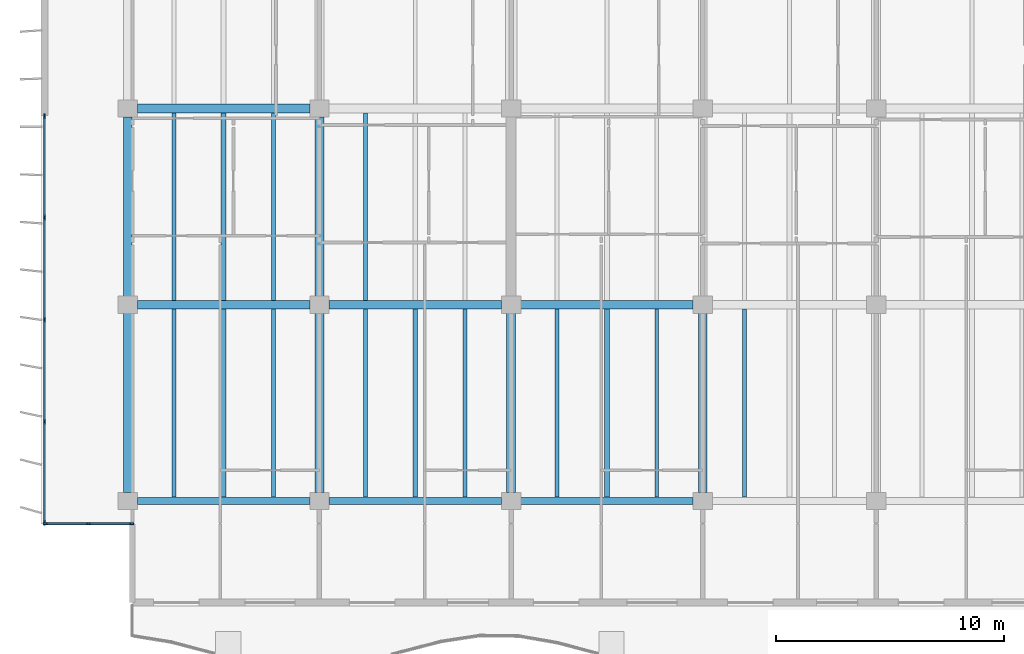
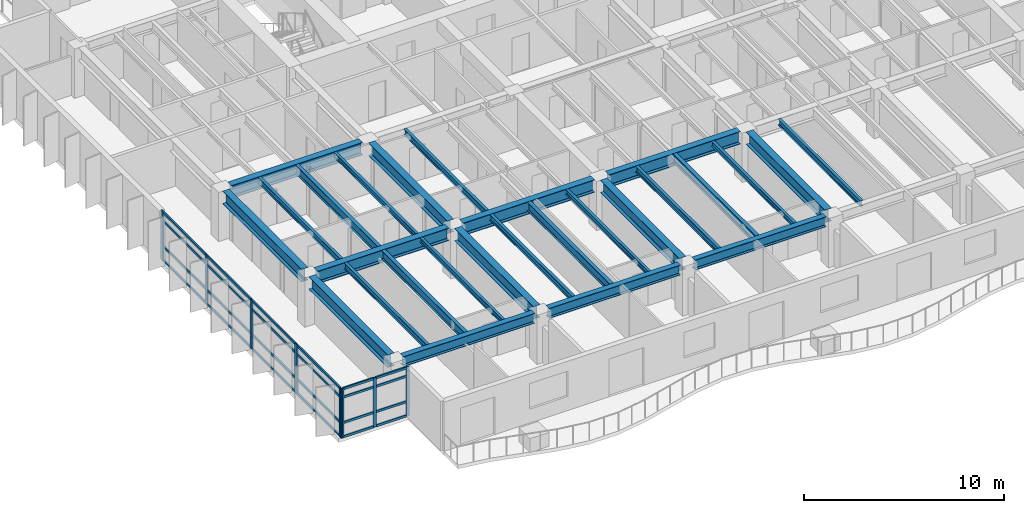
# One storey, part 2 of 19: 32 members, 27 beams, 2 elements without a shape of their own.
"""IFC4 building model written with IfcOpenShell, lengths in metres."""

from ifc_helpers import new_model, si_unit, direction, frame, origin, origin_2d, place, context, subcontext, project, spatial, rectangle, i_section, extrude, material, layer, layer_set, material_profile, profile_set, type_object, element, aggregate, save


model = new_model("IFC4")

# Units and contexts
model_context = context("Model", 3, precision=1e-05, world=origin(), true_north=direction((0.0, 1.0)))
body_context = subcontext(model_context, "Body", "Model", "MODEL_VIEW")
ifc_project = project(units=[si_unit("LENGTHUNIT", "METRE"), si_unit("AREAUNIT", "SQUARE_METRE"), si_unit("VOLUMEUNIT", "CUBIC_METRE"), si_unit("PLANEANGLEUNIT", "RADIAN"), si_unit("MASSUNIT", "GRAM", prefix="KILO")], contexts=[model_context])

# Site, building, storey
site_placement = place(None, origin())
site = spatial("IfcSite", under=ifc_project, at=site_placement, CompositionType="ELEMENT")
building_placement = place(site_placement, origin())
building = spatial("IfcBuilding", under=site, at=building_placement, Name="Caelmar Bay Residences", CompositionType="ELEMENT")
storey_placement = place(building_placement, frame((0.0, 0.0, 218.10009765625)))
storey = spatial("IfcBuildingStorey", under=building, at=storey_placement, Name="L61", CompositionType="ELEMENT", Elevation=218.10009765625)

# Beams
ifc_material_1 = material(Name="Steel ASTM A992 Grade 50", Category="steel")
ifc_material_profile_1 = material_profile(ifc_material_1, i_section(OverallWidth=0.381103515625, OverallDepth=0.77197265625, WebThickness=0.0166015625, FlangeThickness=0.027099609375, FilletRadius=0.0166015625, at=origin_2d()), Name="W30X173")
ifc_profile_set_1 = profile_set([ifc_material_profile_1], Name="Steel ASTM A992 Grade 50")
beam_type_1 = type_object("IfcBeamType", Name="BM-GRD-W30X173", PredefinedType="BEAM", material=ifc_profile_set_1)
beam_1_placement = place(storey_placement, frame((10.31494140625, 20.800048828125, 2.614013671875), z_axis=(1.0, 0.0, 0.0), x_axis=(0.0, 1.0, 0.0)))
element("IfcBeam", 1, at=beam_1_placement, inside=storey, type_object=beam_type_1, Name="L61 East-West Girder Y=20.80 (9.9-18.3)", PredefinedType="BEAM", context=body_context, shape_type="SweptSolid", body=[
    extrude(i_section(OverallWidth=0.381103515625, OverallDepth=0.77197265625, WebThickness=0.0166015625, FlangeThickness=0.027099609375, FilletRadius=0.0166015625, at=origin_2d()), origin(), (0.0, 0.0, 1.0), 7.570068359375),
])
beam_2_placement = place(storey_placement, frame((18.715087890625, 20.800048828125, 2.614013671875), z_axis=(1.0, 0.0, 0.0), x_axis=(0.0, 1.0, 0.0)))
element("IfcBeam", 2, at=beam_2_placement, inside=storey, type_object=beam_type_1, Name="L61 East-West Girder Y=20.80 (18.3-26.7)", PredefinedType="BEAM", context=body_context, shape_type="SweptSolid", body=[
    extrude(i_section(OverallWidth=0.381103515625, OverallDepth=0.77197265625, WebThickness=0.0166015625, FlangeThickness=0.027099609375, FilletRadius=0.0166015625, at=origin_2d()), origin(), (0.0, 0.0, 1.0), 7.56982421875),
])
for number, where, z_axis, x_axis, name in (
    (3, (27.114990234375, 20.800048828125, 2.614013671875), (1.0, 0.0, 0.0), (0.0, 1.0, 0.0), "L61 East-West Girder Y=20.80 (26.7-35.1)"),
    (4, (10.31494140625, 29.39990234375, 2.614013671875), (1.0, 0.0, 0.0), (0.0, 1.0, 0.0), "L61 East-West Girder Y=29.40 (9.9-18.3)"),
):
    element("IfcBeam", number, at=place(storey_placement, frame(where, z_axis=z_axis, x_axis=x_axis)), inside=storey, type_object=beam_type_1, Name=name, PredefinedType="BEAM", context=body_context, shape_type="SweptSolid", body=[
        extrude(i_section(OverallWidth=0.381103515625, OverallDepth=0.77197265625, WebThickness=0.0166015625, FlangeThickness=0.027099609375, FilletRadius=0.0166015625, at=origin_2d()), origin(), (0.0, 0.0, 1.0), 7.570068359375),
    ])
beam_3_placement = place(storey_placement, frame((9.89990234375, 12.56494140625, 2.614013671875), z_axis=(0.0, 1.0, 0.0), x_axis=(-1.0, 0.0, 0.0)))
element("IfcBeam", 5, at=beam_3_placement, inside=storey, type_object=beam_type_1, Name="L61 North-South Girder X=9.90 (12.2-20.8)", PredefinedType="BEAM", context=body_context, shape_type="SweptSolid", body=[
    extrude(i_section(OverallWidth=0.381103515625, OverallDepth=0.77197265625, WebThickness=0.0166015625, FlangeThickness=0.027099609375, FilletRadius=0.0166015625, at=origin_2d()), origin(), (0.0, 0.0, 1.0), 7.8701171875),
])
beam_4_placement = place(storey_placement, frame((9.89990234375, 21.1650390625, 2.614013671875), z_axis=(0.0, 1.0, 0.0), x_axis=(-1.0, 0.0, 0.0)))
element("IfcBeam", 6, at=beam_4_placement, inside=storey, type_object=beam_type_1, Name="L61 North-South Girder X=9.90 (20.8-29.4)", PredefinedType="BEAM", context=body_context, shape_type="SweptSolid", body=[
    extrude(i_section(OverallWidth=0.381103515625, OverallDepth=0.77197265625, WebThickness=0.0166015625, FlangeThickness=0.027099609375, FilletRadius=0.0166015625, at=origin_2d()), origin(), (0.0, 0.0, 1.0), 7.869873046875),
])
beam_5_placement = place(storey_placement, frame((18.300048828125, 12.56494140625, 2.614013671875), z_axis=(0.0, 1.0, 0.0), x_axis=(-1.0, 0.0, 0.0)))
element("IfcBeam", 7, at=beam_5_placement, inside=storey, type_object=beam_type_1, Name="L61 North-South Girder X=18.30 (12.2-20.8)", PredefinedType="BEAM", context=body_context, shape_type="SweptSolid", body=[
    extrude(i_section(OverallWidth=0.381103515625, OverallDepth=0.77197265625, WebThickness=0.0166015625, FlangeThickness=0.027099609375, FilletRadius=0.0166015625, at=origin_2d()), origin(), (0.0, 0.0, 1.0), 7.8701171875),
])
beam_6_placement = place(storey_placement, frame((18.300048828125, 21.1650390625, 2.614013671875), z_axis=(0.0, 1.0, 0.0), x_axis=(-1.0, 0.0, 0.0)))
element("IfcBeam", 8, at=beam_6_placement, inside=storey, type_object=beam_type_1, Name="L61 North-South Girder X=18.30 (20.8-29.4)", PredefinedType="BEAM", context=body_context, shape_type="SweptSolid", body=[
    extrude(i_section(OverallWidth=0.381103515625, OverallDepth=0.77197265625, WebThickness=0.0166015625, FlangeThickness=0.027099609375, FilletRadius=0.0166015625, at=origin_2d()), origin(), (0.0, 0.0, 1.0), 7.869873046875),
])
for number, where, z_axis, x_axis, name in (
    (9, (26.699951171875, 12.56494140625, 2.614013671875), (0.0, 1.0, 0.0), (-1.0, 0.0, 0.0), "L61 North-South Girder X=26.70 (12.2-20.8)"),
    (10, (35.10009765625, 12.56494140625, 2.614013671875), (0.0, 1.0, 0.0), (-1.0, 0.0, 0.0), "L61 North-South Girder X=35.10 (12.2-20.8)"),
):
    element("IfcBeam", number, at=place(storey_placement, frame(where, z_axis=z_axis, x_axis=x_axis)), inside=storey, type_object=beam_type_1, Name=name, PredefinedType="BEAM", context=body_context, shape_type="SweptSolid", body=[
        extrude(i_section(OverallWidth=0.381103515625, OverallDepth=0.77197265625, WebThickness=0.0166015625, FlangeThickness=0.027099609375, FilletRadius=0.0166015625, at=origin_2d()), origin(), (0.0, 0.0, 1.0), 7.8701171875),
    ])
ifc_material_profile_2 = material_profile(ifc_material_1, i_section(OverallWidth=0.1650390625, OverallDepth=0.31005859375, WebThickness=0.005859375, FlangeThickness=0.009765625, FilletRadius=0.007568359375, at=origin_2d()), Name="W12X26")
ifc_profile_set_2 = profile_set([ifc_material_profile_2], Name="Steel ASTM A992 Grade 50")
beam_type_2 = type_object("IfcBeamType", Name="BM-JST-W12X26", PredefinedType="JOIST", material=ifc_profile_set_2)
for number, where, z_axis, x_axis, name in (
    (11, (16.283935546875, 12.362548828125, 2.844970703125), (0.0, 1.0, 0.0), (-1.0, 0.0, 0.0), "L61 Composite Floor Joist 3"),
    (12, (24.68408203125, 12.362548828125, 2.844970703125), (0.0, 1.0, 0.0), (-1.0, 0.0, 0.0), "L61 Composite Floor Joist 6"),
    (13, (33.083984375, 12.362548828125, 2.844970703125), (0.0, 1.0, 0.0), (-1.0, 0.0, 0.0), "L61 Composite Floor Joist 9"),
):
    element("IfcBeam", number, at=place(storey_placement, frame(where, z_axis=z_axis, x_axis=x_axis)), inside=storey, type_object=beam_type_2, Name=name, PredefinedType="JOIST", context=body_context, shape_type="SweptSolid", body=[
        extrude(i_section(OverallWidth=0.1650390625, OverallDepth=0.31005859375, WebThickness=0.005859375, FlangeThickness=0.009765625, FilletRadius=0.007568359375, at=origin_2d()), origin(), (0.0, 0.0, 1.0), 8.2470703125),
    ])
beam_7_placement = place(storey_placement, frame((16.283935546875, 20.990478515625, 2.844970703125), z_axis=(0.0, 1.0, 0.0), x_axis=(-1.0, 0.0, 0.0)))
element("IfcBeam", 14, at=beam_7_placement, inside=storey, type_object=beam_type_2, Name="L61 Composite Floor Joist 24", PredefinedType="JOIST", context=body_context, shape_type="SweptSolid", body=[
    extrude(i_section(OverallWidth=0.1650390625, OverallDepth=0.31005859375, WebThickness=0.005859375, FlangeThickness=0.009765625, FilletRadius=0.007568359375, at=origin_2d()), origin(), (0.0, 0.0, 1.0), 8.218994140625),
])
ifc_material_profile_3 = material_profile(ifc_material_1, i_section(OverallWidth=0.1708984375, OverallDepth=0.35595703125, WebThickness=0.007080078125, FlangeThickness=0.01171875, FilletRadius=0.007568359375, at=origin_2d()), Name="W14X34")
ifc_profile_set_3 = profile_set([ifc_material_profile_3], Name="Steel ASTM A992 Grade 50")
beam_type_3 = type_object("IfcBeamType", Name="BM-JST-W14X34", PredefinedType="JOIST", material=ifc_profile_set_3)
for number, where, z_axis, x_axis, name in (
    (15, (11.916015625, 12.362548828125, 2.822021484375), (0.0, 1.0, 0.0), (-1.0, 0.0, 0.0), "L61 Composite Floor Joist 1"),
    (16, (20.31591796875, 12.362548828125, 2.822021484375), (0.0, 1.0, 0.0), (-1.0, 0.0, 0.0), "L61 Composite Floor Joist 4"),
    (17, (28.716064453125, 12.362548828125, 2.822021484375), (0.0, 1.0, 0.0), (-1.0, 0.0, 0.0), "L61 Composite Floor Joist 7"),
    (18, (36.924072265625, 12.362548828125, 2.822021484375), (0.0, 1.0, 0.0), (-1.0, 0.0, 0.0), "L61 Composite Floor Joist 10"),
):
    element("IfcBeam", number, at=place(storey_placement, frame(where, z_axis=z_axis, x_axis=x_axis)), inside=storey, type_object=beam_type_3, Name=name, PredefinedType="JOIST", context=body_context, shape_type="SweptSolid", body=[
        extrude(i_section(OverallWidth=0.1708984375, OverallDepth=0.35595703125, WebThickness=0.007080078125, FlangeThickness=0.01171875, FilletRadius=0.007568359375, at=origin_2d()), origin(), (0.0, 0.0, 1.0), 8.2470703125),
    ])
for number, where, z_axis, x_axis, name in (
    (19, (11.916015625, 20.990478515625, 2.822021484375), (0.0, 1.0, 0.0), (-1.0, 0.0, 0.0), "L61 Composite Floor Joist 22"),
    (20, (20.31591796875, 20.990478515625, 2.822021484375), (0.0, 1.0, 0.0), (-1.0, 0.0, 0.0), "L61 Composite Floor Joist 25"),
):
    element("IfcBeam", number, at=place(storey_placement, frame(where, z_axis=z_axis, x_axis=x_axis)), inside=storey, type_object=beam_type_3, Name=name, PredefinedType="JOIST", context=body_context, shape_type="SweptSolid", body=[
        extrude(i_section(OverallWidth=0.1708984375, OverallDepth=0.35595703125, WebThickness=0.007080078125, FlangeThickness=0.01171875, FilletRadius=0.007568359375, at=origin_2d()), origin(), (0.0, 0.0, 1.0), 8.218994140625),
    ])
ifc_material_profile_4 = material_profile(ifc_material_1, i_section(OverallWidth=0.2099609375, OverallDepth=0.535888671875, WebThickness=0.010986328125, FlangeThickness=0.017333984375, FilletRadius=0.0126953125, at=origin_2d()), Name="W21X68")
ifc_profile_set_4 = profile_set([ifc_material_profile_4], Name="Steel ASTM A992 Grade 50")
beam_type_4 = type_object("IfcBeamType", Name="BM-JST-W21X68", PredefinedType="JOIST", material=ifc_profile_set_4)
for number, where, z_axis, x_axis, name in (
    (21, (14.10009765625, 12.362548828125, 2.73193359375), (0.0, 1.0, 0.0), (-1.0, 0.0, 0.0), "L61 Composite Floor Joist 2"),
    (22, (22.5, 12.362548828125, 2.73193359375), (0.0, 1.0, 0.0), (-1.0, 0.0, 0.0), "L61 Composite Floor Joist 5"),
    (23, (30.89990234375, 12.362548828125, 2.73193359375), (0.0, 1.0, 0.0), (-1.0, 0.0, 0.0), "L61 Composite Floor Joist 8"),
):
    element("IfcBeam", number, at=place(storey_placement, frame(where, z_axis=z_axis, x_axis=x_axis)), inside=storey, type_object=beam_type_4, Name=name, PredefinedType="JOIST", context=body_context, shape_type="SweptSolid", body=[
        extrude(i_section(OverallWidth=0.2099609375, OverallDepth=0.535888671875, WebThickness=0.010986328125, FlangeThickness=0.017333984375, FilletRadius=0.0126953125, at=origin_2d()), origin(), (0.0, 0.0, 1.0), 8.2470703125),
    ])
beam_8_placement = place(storey_placement, frame((14.10009765625, 20.990478515625, 2.73193359375), z_axis=(0.0, 1.0, 0.0), x_axis=(-1.0, 0.0, 0.0)))
element("IfcBeam", 24, at=beam_8_placement, inside=storey, type_object=beam_type_4, Name="L61 Composite Floor Joist 23", PredefinedType="JOIST", context=body_context, shape_type="SweptSolid", body=[
    extrude(i_section(OverallWidth=0.2099609375, OverallDepth=0.535888671875, WebThickness=0.010986328125, FlangeThickness=0.017333984375, FilletRadius=0.0126953125, at=origin_2d()), origin(), (0.0, 0.0, 1.0), 8.218994140625),
])
ifc_material_profile_5 = material_profile(ifc_material_1, i_section(OverallWidth=0.324951171875, OverallDepth=0.616943359375, WebThickness=0.013916015625, FlangeThickness=0.021484375, FilletRadius=0.0126953125, at=origin_2d()), Name="W24X117")
ifc_profile_set_5 = profile_set([ifc_material_profile_5], Name="Steel ASTM A992 Grade 50")
beam_type_5 = type_object("IfcBeamType", Name="BM-SPN-W24X117", PredefinedType="SPANDREL", material=ifc_profile_set_5)
beam_9_placement = place(storey_placement, frame((10.31494140625, 12.199951171875, 2.69140625), z_axis=(1.0, 0.0, 0.0), x_axis=(0.0, 1.0, 0.0)))
element("IfcBeam", 25, at=beam_9_placement, inside=storey, type_object=beam_type_5, Name="L61 East-West Girder Y=12.20 (9.9-18.3)", PredefinedType="SPANDREL", context=body_context, shape_type="SweptSolid", body=[
    extrude(i_section(OverallWidth=0.324951171875, OverallDepth=0.616943359375, WebThickness=0.013916015625, FlangeThickness=0.021484375, FilletRadius=0.0126953125, at=origin_2d()), origin(), (0.0, 0.0, 1.0), 7.570068359375),
])
beam_10_placement = place(storey_placement, frame((18.715087890625, 12.199951171875, 2.69140625), z_axis=(1.0, 0.0, 0.0), x_axis=(0.0, 1.0, 0.0)))
element("IfcBeam", 26, at=beam_10_placement, inside=storey, type_object=beam_type_5, Name="L61 East-West Girder Y=12.20 (18.3-26.7)", PredefinedType="SPANDREL", context=body_context, shape_type="SweptSolid", body=[
    extrude(i_section(OverallWidth=0.324951171875, OverallDepth=0.616943359375, WebThickness=0.013916015625, FlangeThickness=0.021484375, FilletRadius=0.0126953125, at=origin_2d()), origin(), (0.0, 0.0, 1.0), 7.56982421875),
])
beam_11_placement = place(storey_placement, frame((27.114990234375, 12.199951171875, 2.69140625), z_axis=(1.0, 0.0, 0.0), x_axis=(0.0, 1.0, 0.0)))
element("IfcBeam", 27, at=beam_11_placement, inside=storey, type_object=beam_type_5, Name="L61 East-West Girder Y=12.20 (26.7-35.1)", PredefinedType="SPANDREL", context=body_context, shape_type="SweptSolid", body=[
    extrude(i_section(OverallWidth=0.324951171875, OverallDepth=0.616943359375, WebThickness=0.013916015625, FlangeThickness=0.021484375, FilletRadius=0.0126953125, at=origin_2d()), origin(), (0.0, 0.0, 1.0), 7.570068359375),
])

# Curtain wall, members
ifc_material_2 = material(Name="Anodised bronze aluminium 6063-T6 and laminated glass", Category="aluminium")
ifc_layer_1 = layer(ifc_material_2, 0.179931640625)
ifc_layer_set_1 = layer_set([ifc_layer_1], Name="Anodised bronze aluminium 6063-T6 and laminated glass")
curtain_wall_type_1 = type_object("IfcCurtainWallType", Name="CW6-NTC", PredefinedType="NOTDEFINED", material=ifc_layer_set_1)
curtain_wall_1_placement = place(storey_placement, origin())
curtain_wall_1 = element("IfcCurtainWall", 28, at=curtain_wall_1_placement, inside=storey, type_object=curtain_wall_type_1, Name="CW6 curtain wall L61", PredefinedType="NOTDEFINED")
ifc_material_3 = material(Name="Anodised bronze aluminium 6063-T6", Category="aluminium")
ifc_material_profile_6 = material_profile(ifc_material_3, rectangle(XDim=0.080078125, YDim=0.179931640625, at=origin_2d()), Name="CWM-80X180")
ifc_profile_set_6 = profile_set([ifc_material_profile_6], Name="Anodised bronze aluminium 6063-T6")
member_type_1 = type_object("IfcMemberType", Name="CWM-180", PredefinedType="MULLION", material=ifc_profile_set_6)
member_1_placement = place(storey_placement, frame((6.2900390625, 11.199951171875, 0.0), z_axis=(0.0, 0.0, 1.0), x_axis=(0.0, 1.0, 0.0)))
member_1 = element("IfcMember", 29, at=member_1_placement, type_object=member_type_1, Name="CW6 mullion 1", PredefinedType="MULLION", context=body_context, shape_type="SweptSolid", body=[
    extrude(rectangle(XDim=0.080078125, YDim=0.179931640625, at=origin_2d()), origin(), (0.0, 0.0, 1.0), 3.0),
])
member_2_placement = place(storey_placement, frame((8.175048828125, 11.199951171875, 0.0), z_axis=(0.0, 0.0, 1.0), x_axis=(0.0, 1.0, 0.0)))
member_2 = element("IfcMember", 30, at=member_2_placement, type_object=member_type_1, Name="CW6 mullion 2", PredefinedType="MULLION", context=body_context, shape_type="SweptSolid", body=[
    extrude(rectangle(XDim=0.080078125, YDim=0.179931640625, at=origin_2d()), origin(), (0.0, 0.0, 1.0), 3.0),
])
member_3_placement = place(storey_placement, frame((10.06005859375, 11.199951171875, 0.0), z_axis=(0.0, 0.0, 1.0), x_axis=(0.0, 1.0, 0.0)))
member_3 = element("IfcMember", 31, at=member_3_placement, type_object=member_type_1, Name="CW6 mullion 3", PredefinedType="MULLION", context=body_context, shape_type="SweptSolid", body=[
    extrude(rectangle(XDim=0.080078125, YDim=0.179931640625, at=origin_2d()), origin(), (0.0, 0.0, 1.0), 3.0),
])

ifc_layer_2 = layer(ifc_material_2, 0.179931640625)
ifc_layer_set_2 = layer_set([ifc_layer_2], Name="Anodised bronze aluminium 6063-T6 and laminated glass")
curtain_wall_type_2 = type_object("IfcCurtainWallType", Name="CW4-Z3", PredefinedType="NOTDEFINED", material=ifc_layer_set_2)
curtain_wall_2_placement = place(storey_placement, origin())
curtain_wall_2 = element("IfcCurtainWall", 32, at=curtain_wall_2_placement, inside=storey, type_object=curtain_wall_type_2, Name="CW4 curtain wall L61", PredefinedType="NOTDEFINED")
ifc_material_profile_7 = material_profile(ifc_material_3, rectangle(XDim=0.080078125, YDim=0.219970703125, at=origin_2d()), Name="CWM-80X220")
ifc_profile_set_7 = profile_set([ifc_material_profile_7], Name="Anodised bronze aluminium 6063-T6")
member_type_2 = type_object("IfcMemberType", Name="CWM-220", PredefinedType="MULLION", material=ifc_profile_set_7)
member_4_placement = place(storey_placement, frame((6.25, 11.239990234375, 0.0), z_axis=(0.0, 0.0, 1.0), x_axis=(-1.0, 0.0, 0.0)))
member_4 = element("IfcMember", 33, at=member_4_placement, type_object=member_type_2, Name="CW4 mullion 1", PredefinedType="MULLION", context=body_context, shape_type="SweptSolid", body=[
    extrude(rectangle(XDim=0.080078125, YDim=0.219970703125, at=origin_2d()), origin(), (0.0, 0.0, 1.0), 3.0),
])
member_5_placement = place(storey_placement, frame((6.25, 15.675048828125, 0.0), z_axis=(0.0, 0.0, 1.0), x_axis=(-1.0, 0.0, 0.0)))
member_5 = element("IfcMember", 34, at=member_5_placement, type_object=member_type_2, Name="CW4 mullion 2", PredefinedType="MULLION", context=body_context, shape_type="SweptSolid", body=[
    extrude(rectangle(XDim=0.080078125, YDim=0.219970703125, at=origin_2d()), origin(), (0.0, 0.0, 1.0), 3.0),
])
member_6_placement = place(storey_placement, frame((6.25, 20.14990234375, 0.0), z_axis=(0.0, 0.0, 1.0), x_axis=(-1.0, 0.0, 0.0)))
member_6 = element("IfcMember", 35, at=member_6_placement, type_object=member_type_2, Name="CW4 mullion 3", PredefinedType="MULLION", context=body_context, shape_type="SweptSolid", body=[
    extrude(rectangle(XDim=0.080078125, YDim=0.219970703125, at=origin_2d()), origin(), (0.0, 0.0, 1.0), 3.0),
])
member_7_placement = place(storey_placement, frame((6.25, 24.625, 0.0), z_axis=(0.0, 0.0, 1.0), x_axis=(-1.0, 0.0, 0.0)))
member_7 = element("IfcMember", 36, at=member_7_placement, type_object=member_type_2, Name="CW4 mullion 4", PredefinedType="MULLION", context=body_context, shape_type="SweptSolid", body=[
    extrude(rectangle(XDim=0.080078125, YDim=0.219970703125, at=origin_2d()), origin(), (0.0, 0.0, 1.0), 3.0),
])
member_8_placement = place(storey_placement, frame((6.25, 29.06005859375, 0.0), z_axis=(0.0, 0.0, 1.0), x_axis=(-1.0, 0.0, 0.0)))
member_8 = element("IfcMember", 37, at=member_8_placement, type_object=member_type_2, Name="CW4 mullion 5", PredefinedType="MULLION", context=body_context, shape_type="SweptSolid", body=[
    extrude(rectangle(XDim=0.080078125, YDim=0.219970703125, at=origin_2d()), origin(), (0.0, 0.0, 1.0), 3.0),
])

# Member
ifc_material_profile_8 = material_profile(ifc_material_3, rectangle(XDim=0.080078125, YDim=0.139892578125, at=origin_2d()), Name="CWT-80X140")
ifc_profile_set_8 = profile_set([ifc_material_profile_8], Name="Anodised bronze aluminium 6063-T6")
member_type_3 = type_object("IfcMemberType", Name="CWT-140", PredefinedType="NOTDEFINED", material=ifc_profile_set_8)
member_9_placement = place(storey_placement, frame((6.330078125, 11.199951171875, 0.039794921875), z_axis=(1.0, 0.0, 0.0), x_axis=(0.0, 1.0, 0.0)))
member_9 = element("IfcMember", 38, at=member_9_placement, type_object=member_type_3, Name="CW6 transom 1.1", ObjectType="TRANSOM", PredefinedType="USERDEFINED", context=body_context, shape_type="SweptSolid", body=[
    extrude(rectangle(XDim=0.080078125, YDim=0.139892578125, at=origin_2d()), origin(), (0.0, 0.0, 1.0), 1.804931640625),
])

member_10_placement = place(storey_placement, frame((6.330078125, 11.199951171875, 0.89990234375), z_axis=(1.0, 0.0, 0.0), x_axis=(0.0, 1.0, 0.0)))
member_10 = element("IfcMember", 39, at=member_10_placement, type_object=member_type_3, Name="CW6 transom 1.2", ObjectType="TRANSOM", PredefinedType="USERDEFINED", context=body_context, shape_type="SweptSolid", body=[
    extrude(rectangle(XDim=0.080078125, YDim=0.139892578125, at=origin_2d()), origin(), (0.0, 0.0, 1.0), 1.804931640625),
])

member_11_placement = place(storey_placement, frame((6.330078125, 11.199951171875, 2.449951171875), z_axis=(1.0, 0.0, 0.0), x_axis=(0.0, 1.0, 0.0)))
member_11 = element("IfcMember", 40, at=member_11_placement, type_object=member_type_3, Name="CW6 transom 1.3", ObjectType="TRANSOM", PredefinedType="USERDEFINED", context=body_context, shape_type="SweptSolid", body=[
    extrude(rectangle(XDim=0.080078125, YDim=0.139892578125, at=origin_2d()), origin(), (0.0, 0.0, 1.0), 1.804931640625),
])

member_12_placement = place(storey_placement, frame((6.330078125, 11.199951171875, 2.9599609375), z_axis=(1.0, 0.0, 0.0), x_axis=(0.0, 1.0, 0.0)))
member_12 = element("IfcMember", 41, at=member_12_placement, type_object=member_type_3, Name="CW6 transom 1.4", ObjectType="TRANSOM", PredefinedType="USERDEFINED", context=body_context, shape_type="SweptSolid", body=[
    extrude(rectangle(XDim=0.080078125, YDim=0.139892578125, at=origin_2d()), origin(), (0.0, 0.0, 1.0), 1.804931640625),
])

member_13_placement = place(storey_placement, frame((8.215087890625, 11.199951171875, 0.039794921875), z_axis=(1.0, 0.0, 0.0), x_axis=(0.0, 1.0, 0.0)))
member_13 = element("IfcMember", 42, at=member_13_placement, type_object=member_type_3, Name="CW6 transom 2.1", ObjectType="TRANSOM", PredefinedType="USERDEFINED", context=body_context, shape_type="SweptSolid", body=[
    extrude(rectangle(XDim=0.080078125, YDim=0.139892578125, at=origin_2d()), origin(), (0.0, 0.0, 1.0), 1.804931640625),
])

member_14_placement = place(storey_placement, frame((8.215087890625, 11.199951171875, 0.89990234375), z_axis=(1.0, 0.0, 0.0), x_axis=(0.0, 1.0, 0.0)))
member_14 = element("IfcMember", 43, at=member_14_placement, type_object=member_type_3, Name="CW6 transom 2.2", ObjectType="TRANSOM", PredefinedType="USERDEFINED", context=body_context, shape_type="SweptSolid", body=[
    extrude(rectangle(XDim=0.080078125, YDim=0.139892578125, at=origin_2d()), origin(), (0.0, 0.0, 1.0), 1.804931640625),
])

member_15_placement = place(storey_placement, frame((8.215087890625, 11.199951171875, 2.449951171875), z_axis=(1.0, 0.0, 0.0), x_axis=(0.0, 1.0, 0.0)))
member_15 = element("IfcMember", 44, at=member_15_placement, type_object=member_type_3, Name="CW6 transom 2.3", ObjectType="TRANSOM", PredefinedType="USERDEFINED", context=body_context, shape_type="SweptSolid", body=[
    extrude(rectangle(XDim=0.080078125, YDim=0.139892578125, at=origin_2d()), origin(), (0.0, 0.0, 1.0), 1.804931640625),
])

member_16_placement = place(storey_placement, frame((8.215087890625, 11.199951171875, 2.9599609375), z_axis=(1.0, 0.0, 0.0), x_axis=(0.0, 1.0, 0.0)))
member_16 = element("IfcMember", 45, at=member_16_placement, type_object=member_type_3, Name="CW6 transom 2.4", ObjectType="TRANSOM", PredefinedType="USERDEFINED", context=body_context, shape_type="SweptSolid", body=[
    extrude(rectangle(XDim=0.080078125, YDim=0.139892578125, at=origin_2d()), origin(), (0.0, 0.0, 1.0), 1.804931640625),
])

aggregate(curtain_wall_1, [member_1, member_2, member_3, member_9, member_10, member_11, member_12, member_13, member_14, member_15, member_16])

member_17_placement = place(storey_placement, frame((6.25, 11.280029296875, 0.039794921875), z_axis=(0.0, 1.0, 0.0), x_axis=(-1.0, 0.0, 0.0)))
member_17 = element("IfcMember", 46, at=member_17_placement, type_object=member_type_3, Name="CW4 transom 1.1", ObjectType="TRANSOM", PredefinedType="USERDEFINED", context=body_context, shape_type="SweptSolid", body=[
    extrude(rectangle(XDim=0.080078125, YDim=0.139892578125, at=origin_2d()), origin(), (0.0, 0.0, 1.0), 4.35498046875),
])

member_18_placement = place(storey_placement, frame((6.25, 11.280029296875, 0.89990234375), z_axis=(0.0, 1.0, 0.0), x_axis=(-1.0, 0.0, 0.0)))
member_18 = element("IfcMember", 47, at=member_18_placement, type_object=member_type_3, Name="CW4 transom 1.2", ObjectType="TRANSOM", PredefinedType="USERDEFINED", context=body_context, shape_type="SweptSolid", body=[
    extrude(rectangle(XDim=0.080078125, YDim=0.139892578125, at=origin_2d()), origin(), (0.0, 0.0, 1.0), 4.35498046875),
])

member_19_placement = place(storey_placement, frame((6.25, 11.280029296875, 2.449951171875), z_axis=(0.0, 1.0, 0.0), x_axis=(-1.0, 0.0, 0.0)))
member_19 = element("IfcMember", 48, at=member_19_placement, type_object=member_type_3, Name="CW4 transom 1.3", ObjectType="TRANSOM", PredefinedType="USERDEFINED", context=body_context, shape_type="SweptSolid", body=[
    extrude(rectangle(XDim=0.080078125, YDim=0.139892578125, at=origin_2d()), origin(), (0.0, 0.0, 1.0), 4.35498046875),
])

member_20_placement = place(storey_placement, frame((6.25, 11.280029296875, 2.9599609375), z_axis=(0.0, 1.0, 0.0), x_axis=(-1.0, 0.0, 0.0)))
member_20 = element("IfcMember", 49, at=member_20_placement, type_object=member_type_3, Name="CW4 transom 1.4", ObjectType="TRANSOM", PredefinedType="USERDEFINED", context=body_context, shape_type="SweptSolid", body=[
    extrude(rectangle(XDim=0.080078125, YDim=0.139892578125, at=origin_2d()), origin(), (0.0, 0.0, 1.0), 4.35498046875),
])

member_21_placement = place(storey_placement, frame((6.25, 15.715087890625, 0.039794921875), z_axis=(0.0, 1.0, 0.0), x_axis=(-1.0, 0.0, 0.0)))
member_21 = element("IfcMember", 50, at=member_21_placement, type_object=member_type_3, Name="CW4 transom 2.1", ObjectType="TRANSOM", PredefinedType="USERDEFINED", context=body_context, shape_type="SweptSolid", body=[
    extrude(rectangle(XDim=0.080078125, YDim=0.139892578125, at=origin_2d()), origin(), (0.0, 0.0, 1.0), 4.39501953125),
])

member_22_placement = place(storey_placement, frame((6.25, 15.715087890625, 0.89990234375), z_axis=(0.0, 1.0, 0.0), x_axis=(-1.0, 0.0, 0.0)))
member_22 = element("IfcMember", 51, at=member_22_placement, type_object=member_type_3, Name="CW4 transom 2.2", ObjectType="TRANSOM", PredefinedType="USERDEFINED", context=body_context, shape_type="SweptSolid", body=[
    extrude(rectangle(XDim=0.080078125, YDim=0.139892578125, at=origin_2d()), origin(), (0.0, 0.0, 1.0), 4.39501953125),
])

member_23_placement = place(storey_placement, frame((6.25, 15.715087890625, 2.449951171875), z_axis=(0.0, 1.0, 0.0), x_axis=(-1.0, 0.0, 0.0)))
member_23 = element("IfcMember", 52, at=member_23_placement, type_object=member_type_3, Name="CW4 transom 2.3", ObjectType="TRANSOM", PredefinedType="USERDEFINED", context=body_context, shape_type="SweptSolid", body=[
    extrude(rectangle(XDim=0.080078125, YDim=0.139892578125, at=origin_2d()), origin(), (0.0, 0.0, 1.0), 4.39501953125),
])

member_24_placement = place(storey_placement, frame((6.25, 15.715087890625, 2.9599609375), z_axis=(0.0, 1.0, 0.0), x_axis=(-1.0, 0.0, 0.0)))
member_24 = element("IfcMember", 53, at=member_24_placement, type_object=member_type_3, Name="CW4 transom 2.4", ObjectType="TRANSOM", PredefinedType="USERDEFINED", context=body_context, shape_type="SweptSolid", body=[
    extrude(rectangle(XDim=0.080078125, YDim=0.139892578125, at=origin_2d()), origin(), (0.0, 0.0, 1.0), 4.39501953125),
])

member_25_placement = place(storey_placement, frame((6.25, 20.18994140625, 0.039794921875), z_axis=(0.0, 1.0, 0.0), x_axis=(-1.0, 0.0, 0.0)))
member_25 = element("IfcMember", 54, at=member_25_placement, type_object=member_type_3, Name="CW4 transom 3.1", ObjectType="TRANSOM", PredefinedType="USERDEFINED", context=body_context, shape_type="SweptSolid", body=[
    extrude(rectangle(XDim=0.080078125, YDim=0.139892578125, at=origin_2d()), origin(), (0.0, 0.0, 1.0), 4.39501953125),
])

member_26_placement = place(storey_placement, frame((6.25, 20.18994140625, 0.89990234375), z_axis=(0.0, 1.0, 0.0), x_axis=(-1.0, 0.0, 0.0)))
member_26 = element("IfcMember", 55, at=member_26_placement, type_object=member_type_3, Name="CW4 transom 3.2", ObjectType="TRANSOM", PredefinedType="USERDEFINED", context=body_context, shape_type="SweptSolid", body=[
    extrude(rectangle(XDim=0.080078125, YDim=0.139892578125, at=origin_2d()), origin(), (0.0, 0.0, 1.0), 4.39501953125),
])

member_27_placement = place(storey_placement, frame((6.25, 20.18994140625, 2.449951171875), z_axis=(0.0, 1.0, 0.0), x_axis=(-1.0, 0.0, 0.0)))
member_27 = element("IfcMember", 56, at=member_27_placement, type_object=member_type_3, Name="CW4 transom 3.3", ObjectType="TRANSOM", PredefinedType="USERDEFINED", context=body_context, shape_type="SweptSolid", body=[
    extrude(rectangle(XDim=0.080078125, YDim=0.139892578125, at=origin_2d()), origin(), (0.0, 0.0, 1.0), 4.39501953125),
])

member_28_placement = place(storey_placement, frame((6.25, 20.18994140625, 2.9599609375), z_axis=(0.0, 1.0, 0.0), x_axis=(-1.0, 0.0, 0.0)))
member_28 = element("IfcMember", 57, at=member_28_placement, type_object=member_type_3, Name="CW4 transom 3.4", ObjectType="TRANSOM", PredefinedType="USERDEFINED", context=body_context, shape_type="SweptSolid", body=[
    extrude(rectangle(XDim=0.080078125, YDim=0.139892578125, at=origin_2d()), origin(), (0.0, 0.0, 1.0), 4.39501953125),
])

member_29_placement = place(storey_placement, frame((6.25, 24.6650390625, 0.039794921875), z_axis=(0.0, 1.0, 0.0), x_axis=(-1.0, 0.0, 0.0)))
member_29 = element("IfcMember", 58, at=member_29_placement, type_object=member_type_3, Name="CW4 transom 4.1", ObjectType="TRANSOM", PredefinedType="USERDEFINED", context=body_context, shape_type="SweptSolid", body=[
    extrude(rectangle(XDim=0.080078125, YDim=0.139892578125, at=origin_2d()), origin(), (0.0, 0.0, 1.0), 4.35498046875),
])

member_30_placement = place(storey_placement, frame((6.25, 24.6650390625, 0.89990234375), z_axis=(0.0, 1.0, 0.0), x_axis=(-1.0, 0.0, 0.0)))
member_30 = element("IfcMember", 59, at=member_30_placement, type_object=member_type_3, Name="CW4 transom 4.2", ObjectType="TRANSOM", PredefinedType="USERDEFINED", context=body_context, shape_type="SweptSolid", body=[
    extrude(rectangle(XDim=0.080078125, YDim=0.139892578125, at=origin_2d()), origin(), (0.0, 0.0, 1.0), 4.35498046875),
])

member_31_placement = place(storey_placement, frame((6.25, 24.6650390625, 2.449951171875), z_axis=(0.0, 1.0, 0.0), x_axis=(-1.0, 0.0, 0.0)))
member_31 = element("IfcMember", 60, at=member_31_placement, type_object=member_type_3, Name="CW4 transom 4.3", ObjectType="TRANSOM", PredefinedType="USERDEFINED", context=body_context, shape_type="SweptSolid", body=[
    extrude(rectangle(XDim=0.080078125, YDim=0.139892578125, at=origin_2d()), origin(), (0.0, 0.0, 1.0), 4.35498046875),
])

member_32_placement = place(storey_placement, frame((6.25, 24.6650390625, 2.9599609375), z_axis=(0.0, 1.0, 0.0), x_axis=(-1.0, 0.0, 0.0)))
member_32 = element("IfcMember", 61, at=member_32_placement, type_object=member_type_3, Name="CW4 transom 4.4", ObjectType="TRANSOM", PredefinedType="USERDEFINED", context=body_context, shape_type="SweptSolid", body=[
    extrude(rectangle(XDim=0.080078125, YDim=0.139892578125, at=origin_2d()), origin(), (0.0, 0.0, 1.0), 4.35498046875),
])

aggregate(curtain_wall_2, [member_4, member_5, member_6, member_7, member_8, member_17, member_18, member_19, member_20, member_21, member_22, member_23, member_24, member_25, member_26, member_27, member_28, member_29, member_30, member_31, member_32])

save(model, "model.ifc")
